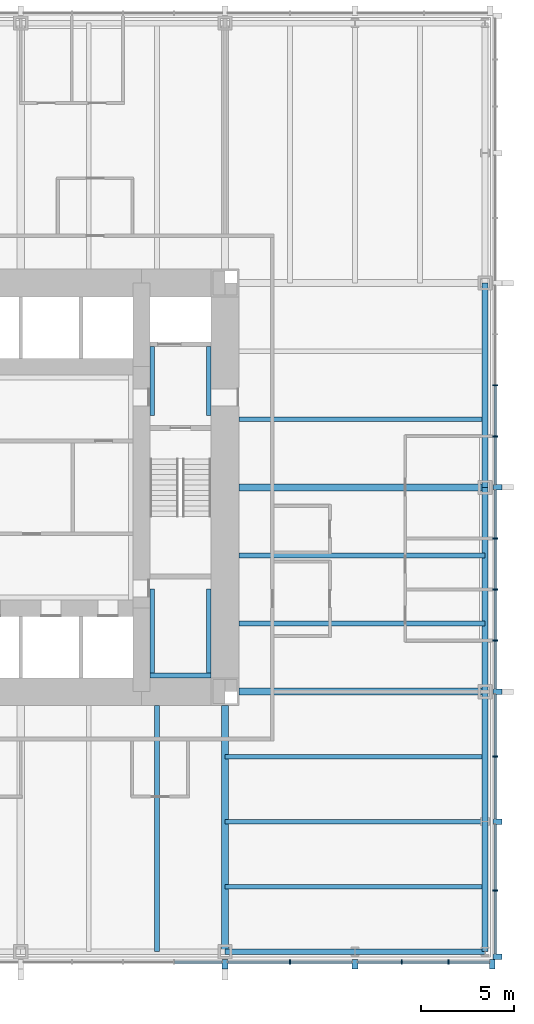
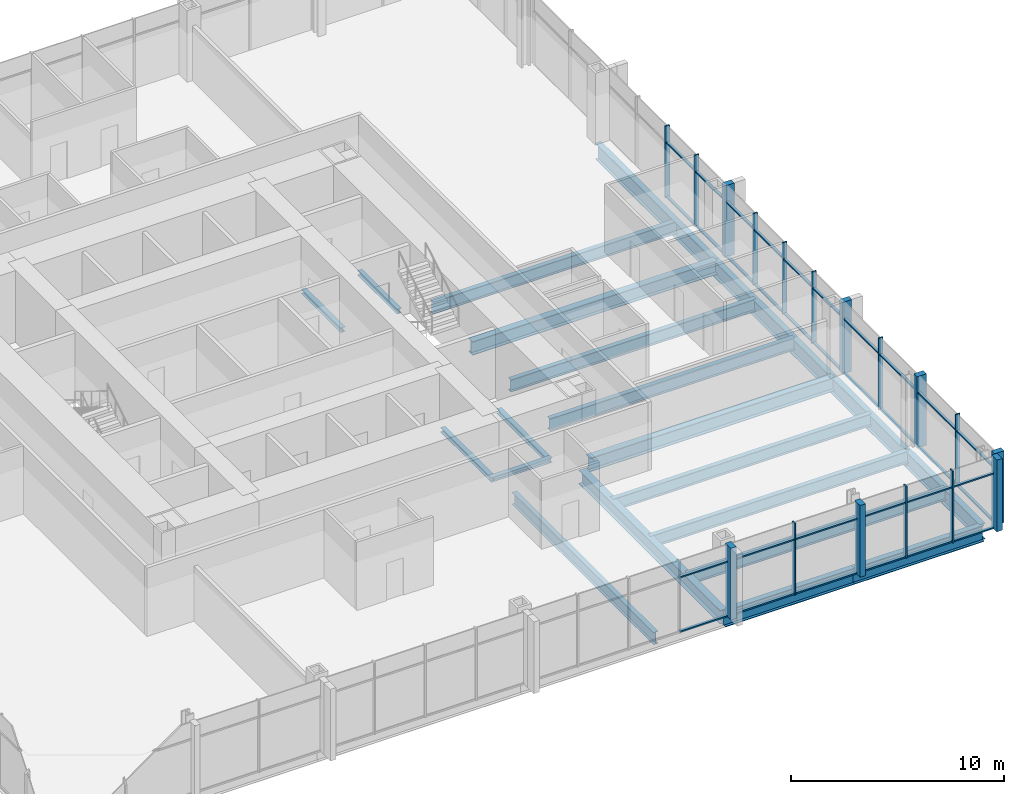
# One storey, part 4 of 12: 49 members, 21 beams, 2 elements without a shape of their own.
"""IFC4 building model written with IfcOpenShell, lengths in metres."""

from ifc_helpers import new_model, si_unit, direction, frame, origin, origin_2d, place, context, subcontext, project, spatial, rectangle, i_section, extrude, material, material_profile, profile_set, type_object, element, aggregate, save


model = new_model("IFC4")

# Units and contexts
model_context = context("Model", 3, precision=1e-05, world=origin(), true_north=direction((0.0, 1.0)))
body_context = subcontext(model_context, "Body", "Model", "MODEL_VIEW")
ifc_project = project(units=[si_unit("LENGTHUNIT", "METRE"), si_unit("AREAUNIT", "SQUARE_METRE"), si_unit("VOLUMEUNIT", "CUBIC_METRE"), si_unit("PLANEANGLEUNIT", "RADIAN"), si_unit("MASSUNIT", "GRAM", prefix="KILO")], contexts=[model_context])

# Site, building, storey
site_placement = place(None, origin())
site = spatial("IfcSite", under=ifc_project, at=site_placement, CompositionType="ELEMENT")
building_placement = place(site_placement, origin())
building = spatial("IfcBuilding", under=site, at=building_placement, Name="Trevanion Tower", CompositionType="ELEMENT")
storey_placement = place(building_placement, frame((0.0, 0.0, 24.199951171875)))
storey = spatial("IfcBuildingStorey", under=building, at=storey_placement, Name="L05", CompositionType="ELEMENT", Elevation=24.199951171875)

# Beams
ifc_material_1 = material(Name="Steel ASTM A992 Grade 50", Category="steel")
ifc_material_profile_1 = material_profile(ifc_material_1, i_section(OverallWidth=0.25390625, OverallDepth=0.700927734375, WebThickness=0.015380859375, FlangeThickness=0.02783203125, at=origin_2d()), Name="W27X129")
ifc_profile_set_1 = profile_set([ifc_material_profile_1], Name="Steel ASTM A992 Grade 50")
beam_type_1 = type_object("IfcBeamType", Name="B3 W27X129", PredefinedType="BEAM", material=ifc_profile_set_1)
for number, where, z_axis, x_axis, name in (
    (1, (11.75, -7.333251953125, -0.54052734375), (1.0, 0.0, 0.0), (0.0, 1.0, 0.0), "B3 L05"),
    (2, (11.75, -3.666748046875, -0.54052734375), (1.0, 0.0, 0.0), (0.0, 1.0, 0.0), "B3 L05"),
    (3, (11.75, 3.666748046875, -0.54052734375), (1.0, 0.0, 0.0), (0.0, 1.0, 0.0), "B3 L05"),
    (4, (7.333251953125, -11.75, -0.54052734375), (0.0, -1.0, 0.0), (1.0, 0.0, 0.0), "B3 L05"),
):
    element("IfcBeam", number, at=place(storey_placement, frame(where, z_axis=z_axis, x_axis=x_axis)), inside=storey, type_object=beam_type_1, Name=name, PredefinedType="BEAM", context=body_context, shape_type="SweptSolid", body=[
        extrude(i_section(OverallWidth=0.25390625, OverallDepth=0.700927734375, WebThickness=0.015380859375, FlangeThickness=0.02783203125, at=origin_2d()), origin(), (0.0, 0.0, 1.0), 13.25),
    ])
ifc_material_2 = material(Name="Steel ASTM A992 Grade 50", Category="steel")
ifc_material_profile_2 = material_profile(ifc_material_2, i_section(OverallWidth=0.256591796875, OverallDepth=0.693359375, WebThickness=0.014404296875, FlangeThickness=0.023681640625, at=origin_2d()), Name="W27X114")
ifc_profile_set_2 = profile_set([ifc_material_profile_2], Name="Steel ASTM A992 Grade 50")
beam_type_2 = type_object("IfcBeamType", Name="B4 W27X114", PredefinedType="BEAM", material=ifc_profile_set_2)
for number, where, z_axis, x_axis, name in (
    (5, (11.0, -14.5, -0.53662109375), (1.0, 0.0, 0.0), (0.0, 1.0, 0.0), "B4 L05"),
    (6, (11.0, -18.0, -0.53662109375), (1.0, 0.0, 0.0), (0.0, 1.0, 0.0), "B4 L05"),
    (7, (11.0, -21.5, -0.53662109375), (1.0, 0.0, 0.0), (0.0, 1.0, 0.0), "B4 L05"),
):
    element("IfcBeam", number, at=place(storey_placement, frame(where, z_axis=z_axis, x_axis=x_axis)), inside=storey, type_object=beam_type_2, Name=name, PredefinedType="BEAM", context=body_context, shape_type="SweptSolid", body=[
        extrude(i_section(OverallWidth=0.256591796875, OverallDepth=0.693359375, WebThickness=0.014404296875, FlangeThickness=0.023681640625, at=origin_2d()), origin(), (0.0, 0.0, 1.0), 14.0),
    ])

# Curtain wall, members
ifc_material_3 = material(Name="Aluminium and glass", Category="aluminium")
curtain_wall_type = type_object("IfcCurtainWallType", Name="CW1 curtain wall", PredefinedType="USERDEFINED", material=ifc_material_3)
curtain_wall_1_placement = place(storey_placement, origin())
curtain_wall_1 = element("IfcCurtainWall", 8, at=curtain_wall_1_placement, inside=storey, type_object=curtain_wall_type, Name="CW1 L05 0", ObjectType="UNITISED CURTAIN WALL", PredefinedType="USERDEFINED")
ifc_material_4 = material(Name="Aluminium extrusion, anodised bronze", Category="aluminium")
ifc_material_profile_3 = material_profile(ifc_material_4, rectangle(XDim=0.074951171875, YDim=0.25, at=origin_2d()), Name="CW1 mullion")
ifc_profile_set_3 = profile_set([ifc_material_profile_3], Name="Aluminium extrusion, anodised bronze")
member_type_1 = type_object("IfcMemberType", Name="CW1 mullion", PredefinedType="MULLION", material=ifc_profile_set_3)
member_1_placement = place(storey_placement, frame((25.550048828125, -21.7099609375, -0.18994140625), z_axis=(0.0, 0.0, 1.0), x_axis=(0.0, 1.0, 0.0)))
member_1 = element("IfcMember", 9, at=member_1_placement, type_object=member_type_1, Name="CW1 mullion 2", PredefinedType="MULLION", context=body_context, shape_type="SweptSolid", body=[
    extrude(rectangle(XDim=0.074951171875, YDim=0.25, at=origin_2d()), origin(), (0.0, 0.0, 1.0), 4.10009765625),
])
member_2_placement = place(storey_placement, frame((25.550048828125, -14.5, -0.18994140625), z_axis=(0.0, 0.0, 1.0), x_axis=(0.0, 1.0, 0.0)))
member_2 = element("IfcMember", 10, at=member_2_placement, type_object=member_type_1, Name="CW1 mullion 4", PredefinedType="MULLION", context=body_context, shape_type="SweptSolid", body=[
    extrude(rectangle(XDim=0.074951171875, YDim=0.25, at=origin_2d()), origin(), (0.0, 0.0, 1.0), 4.10009765625),
])
member_3_placement = place(storey_placement, frame((25.550048828125, -8.25, -0.18994140625), z_axis=(0.0, 0.0, 1.0), x_axis=(0.0, 1.0, 0.0)))
member_3 = element("IfcMember", 11, at=member_3_placement, type_object=member_type_1, Name="CW1 mullion 6", PredefinedType="MULLION", context=body_context, shape_type="SweptSolid", body=[
    extrude(rectangle(XDim=0.074951171875, YDim=0.25, at=origin_2d()), origin(), (0.0, 0.0, 1.0), 4.10009765625),
])
member_4_placement = place(storey_placement, frame((25.550048828125, -5.5, -0.18994140625), z_axis=(0.0, 0.0, 1.0), x_axis=(0.0, 1.0, 0.0)))
member_4 = element("IfcMember", 12, at=member_4_placement, type_object=member_type_1, Name="CW1 mullion 7", PredefinedType="MULLION", context=body_context, shape_type="SweptSolid", body=[
    extrude(rectangle(XDim=0.074951171875, YDim=0.25, at=origin_2d()), origin(), (0.0, 0.0, 1.0), 4.10009765625),
])
member_5_placement = place(storey_placement, frame((25.550048828125, -2.75, -0.18994140625), z_axis=(0.0, 0.0, 1.0), x_axis=(0.0, 1.0, 0.0)))
member_5 = element("IfcMember", 13, at=member_5_placement, type_object=member_type_1, Name="CW1 mullion 8", PredefinedType="MULLION", context=body_context, shape_type="SweptSolid", body=[
    extrude(rectangle(XDim=0.074951171875, YDim=0.25, at=origin_2d()), origin(), (0.0, 0.0, 1.0), 4.10009765625),
])
member_6_placement = place(storey_placement, frame((25.550048828125, 2.75, -0.18994140625), z_axis=(0.0, 0.0, 1.0), x_axis=(0.0, 1.0, 0.0)))
member_6 = element("IfcMember", 14, at=member_6_placement, type_object=member_type_1, Name="CW1 mullion 10", PredefinedType="MULLION", context=body_context, shape_type="SweptSolid", body=[
    extrude(rectangle(XDim=0.074951171875, YDim=0.25, at=origin_2d()), origin(), (0.0, 0.0, 1.0), 4.10009765625),
])
member_7_placement = place(storey_placement, frame((25.550048828125, 5.5, -0.18994140625), z_axis=(0.0, 0.0, 1.0), x_axis=(0.0, 1.0, 0.0)))
member_7 = element("IfcMember", 15, at=member_7_placement, type_object=member_type_1, Name="CW1 mullion 11", PredefinedType="MULLION", context=body_context, shape_type="SweptSolid", body=[
    extrude(rectangle(XDim=0.074951171875, YDim=0.25, at=origin_2d()), origin(), (0.0, 0.0, 1.0), 4.10009765625),
])

curtain_wall_2_placement = place(storey_placement, origin())
curtain_wall_2 = element("IfcCurtainWall", 16, at=curtain_wall_2_placement, inside=storey, type_object=curtain_wall_type, Name="CW1 L05 3", ObjectType="UNITISED CURTAIN WALL", PredefinedType="USERDEFINED")
member_8_placement = place(storey_placement, frame((14.5, -25.550048828125, -0.18994140625), z_axis=(0.0, 0.0, 1.0), x_axis=(1.0, 0.0, 0.0)))
member_8 = element("IfcMember", 17, at=member_8_placement, type_object=member_type_1, Name="CW1 mullion 14", PredefinedType="MULLION", context=body_context, shape_type="SweptSolid", body=[
    extrude(rectangle(XDim=0.074951171875, YDim=0.25, at=origin_2d()), origin(), (0.0, 0.0, 1.0), 4.10009765625),
])
member_9_placement = place(storey_placement, frame((20.5166015625, -25.550048828125, -0.18994140625), z_axis=(0.0, 0.0, 1.0), x_axis=(1.0, 0.0, 0.0)))
member_9 = element("IfcMember", 18, at=member_9_placement, type_object=member_type_1, Name="CW1 mullion 16", PredefinedType="MULLION", context=body_context, shape_type="SweptSolid", body=[
    extrude(rectangle(XDim=0.074951171875, YDim=0.25, at=origin_2d()), origin(), (0.0, 0.0, 1.0), 4.10009765625),
])
member_10_placement = place(storey_placement, frame((23.033203125, -25.550048828125, -0.18994140625), z_axis=(0.0, 0.0, 1.0), x_axis=(1.0, 0.0, 0.0)))
member_10 = element("IfcMember", 19, at=member_10_placement, type_object=member_type_1, Name="CW1 mullion 17", PredefinedType="MULLION", context=body_context, shape_type="SweptSolid", body=[
    extrude(rectangle(XDim=0.074951171875, YDim=0.25, at=origin_2d()), origin(), (0.0, 0.0, 1.0), 4.10009765625),
])

# Member
ifc_material_5 = material(Name="Aluminium extrusion, anodised bronze", Category="aluminium")
ifc_material_profile_4 = material_profile(ifc_material_5, rectangle(XDim=0.300048828125, YDim=0.5, at=origin_2d()), Name="CW1 pier mullion")
ifc_profile_set_4 = profile_set([ifc_material_profile_4], Name="Aluminium extrusion, anodised bronze")
member_type_2 = type_object("IfcMemberType", Name="CW1 pier mullion", PredefinedType="MULLION", material=ifc_profile_set_4)
member_11_placement = place(storey_placement, frame((25.675048828125, -25.27001953125, -0.18994140625), z_axis=(0.0, 0.0, 1.0), x_axis=(0.0, 1.0, 0.0)))
member_11 = element("IfcMember", 20, at=member_11_placement, type_object=member_type_2, Name="CW1 pier mullion 1", PredefinedType="MULLION", context=body_context, shape_type="SweptSolid", body=[
    extrude(rectangle(XDim=0.300048828125, YDim=0.5, at=origin_2d()), origin(), (0.0, 0.0, 1.0), 4.10009765625),
])

member_12_placement = place(storey_placement, frame((25.675048828125, -18.0, -0.18994140625), z_axis=(0.0, 0.0, 1.0), x_axis=(0.0, 1.0, 0.0)))
member_12 = element("IfcMember", 21, at=member_12_placement, type_object=member_type_2, Name="CW1 pier mullion 3", PredefinedType="MULLION", context=body_context, shape_type="SweptSolid", body=[
    extrude(rectangle(XDim=0.300048828125, YDim=0.5, at=origin_2d()), origin(), (0.0, 0.0, 1.0), 4.10009765625),
])

member_13_placement = place(storey_placement, frame((25.675048828125, -11.0, -0.18994140625), z_axis=(0.0, 0.0, 1.0), x_axis=(0.0, 1.0, 0.0)))
member_13 = element("IfcMember", 22, at=member_13_placement, type_object=member_type_2, Name="CW1 pier mullion 5", PredefinedType="MULLION", context=body_context, shape_type="SweptSolid", body=[
    extrude(rectangle(XDim=0.300048828125, YDim=0.5, at=origin_2d()), origin(), (0.0, 0.0, 1.0), 4.10009765625),
])

member_14_placement = place(storey_placement, frame((25.675048828125, 0.0, -0.18994140625), z_axis=(0.0, 0.0, 1.0), x_axis=(0.0, 1.0, 0.0)))
member_14 = element("IfcMember", 23, at=member_14_placement, type_object=member_type_2, Name="CW1 pier mullion 9", PredefinedType="MULLION", context=body_context, shape_type="SweptSolid", body=[
    extrude(rectangle(XDim=0.300048828125, YDim=0.5, at=origin_2d()), origin(), (0.0, 0.0, 1.0), 4.10009765625),
])

member_15_placement = place(storey_placement, frame((11.0, -25.675048828125, -0.18994140625), z_axis=(0.0, 0.0, 1.0), x_axis=(1.0, 0.0, 0.0)))
member_15 = element("IfcMember", 24, at=member_15_placement, type_object=member_type_2, Name="CW1 pier mullion 13", PredefinedType="MULLION", context=body_context, shape_type="SweptSolid", body=[
    extrude(rectangle(XDim=0.300048828125, YDim=0.5, at=origin_2d()), origin(), (0.0, 0.0, 1.0), 4.10009765625),
])

member_16_placement = place(storey_placement, frame((18.0, -25.675048828125, -0.18994140625), z_axis=(0.0, 0.0, 1.0), x_axis=(1.0, 0.0, 0.0)))
member_16 = element("IfcMember", 25, at=member_16_placement, type_object=member_type_2, Name="CW1 pier mullion 15", PredefinedType="MULLION", context=body_context, shape_type="SweptSolid", body=[
    extrude(rectangle(XDim=0.300048828125, YDim=0.5, at=origin_2d()), origin(), (0.0, 0.0, 1.0), 4.10009765625),
])

member_17_placement = place(storey_placement, frame((25.39990234375, -25.675048828125, -0.18994140625), z_axis=(0.0, 0.0, 1.0), x_axis=(1.0, 0.0, 0.0)))
member_17 = element("IfcMember", 26, at=member_17_placement, type_object=member_type_2, Name="CW1 pier mullion 18", PredefinedType="MULLION", context=body_context, shape_type="SweptSolid", body=[
    extrude(rectangle(XDim=0.300048828125, YDim=0.5, at=origin_2d()), origin(), (0.0, 0.0, 1.0), 4.10009765625),
])

ifc_material_6 = material(Name="Aluminium extrusion, anodised bronze", Category="aluminium")
ifc_material_profile_5 = material_profile(ifc_material_6, rectangle(XDim=0.14990234375, YDim=0.074951171875, at=origin_2d()), Name="CW1 transom")
ifc_profile_set_5 = profile_set([ifc_material_profile_5], Name="Aluminium extrusion, anodised bronze")
member_type_3 = type_object("IfcMemberType", Name="CW1 transom", PredefinedType="USERDEFINED", material=ifc_profile_set_5)
member_18_placement = place(storey_placement, frame((25.550048828125, -25.1201171875, -0.15234375), z_axis=(0.0, 1.0, 0.0), x_axis=(-1.0, 0.0, 0.0)))
member_18 = element("IfcMember", 27, at=member_18_placement, type_object=member_type_3, Name="CW1 transom 1.1", ObjectType="TRANSOM", PredefinedType="USERDEFINED", context=body_context, shape_type="SweptSolid", body=[
    extrude(rectangle(XDim=0.14990234375, YDim=0.074951171875, at=origin_2d()), origin(), (0.0, 0.0, 1.0), 3.37255859375),
])

member_19_placement = place(storey_placement, frame((25.550048828125, -25.1201171875, 2.9599609375), z_axis=(0.0, 1.0, 0.0), x_axis=(-1.0, 0.0, 0.0)))
member_19 = element("IfcMember", 28, at=member_19_placement, type_object=member_type_3, Name="CW1 transom 1.2", ObjectType="TRANSOM", PredefinedType="USERDEFINED", context=body_context, shape_type="SweptSolid", body=[
    extrude(rectangle(XDim=0.14990234375, YDim=0.074951171875, at=origin_2d()), origin(), (0.0, 0.0, 1.0), 3.37255859375),
])

member_20_placement = place(storey_placement, frame((25.550048828125, -21.672607421875, -0.15234375), z_axis=(0.0, 1.0, 0.0), x_axis=(-1.0, 0.0, 0.0)))
member_20 = element("IfcMember", 29, at=member_20_placement, type_object=member_type_3, Name="CW1 transom 2.1", ObjectType="TRANSOM", PredefinedType="USERDEFINED", context=body_context, shape_type="SweptSolid", body=[
    extrude(rectangle(XDim=0.14990234375, YDim=0.074951171875, at=origin_2d()), origin(), (0.0, 0.0, 1.0), 3.522705078125),
])

member_21_placement = place(storey_placement, frame((25.550048828125, -21.672607421875, 2.9599609375), z_axis=(0.0, 1.0, 0.0), x_axis=(-1.0, 0.0, 0.0)))
member_21 = element("IfcMember", 30, at=member_21_placement, type_object=member_type_3, Name="CW1 transom 2.2", ObjectType="TRANSOM", PredefinedType="USERDEFINED", context=body_context, shape_type="SweptSolid", body=[
    extrude(rectangle(XDim=0.14990234375, YDim=0.074951171875, at=origin_2d()), origin(), (0.0, 0.0, 1.0), 3.522705078125),
])

member_22_placement = place(storey_placement, frame((25.550048828125, -17.85009765625, -0.15234375), z_axis=(0.0, 1.0, 0.0), x_axis=(-1.0, 0.0, 0.0)))
member_22 = element("IfcMember", 31, at=member_22_placement, type_object=member_type_3, Name="CW1 transom 3.1", ObjectType="TRANSOM", PredefinedType="USERDEFINED", context=body_context, shape_type="SweptSolid", body=[
    extrude(rectangle(XDim=0.14990234375, YDim=0.074951171875, at=origin_2d()), origin(), (0.0, 0.0, 1.0), 3.3125),
])

member_23_placement = place(storey_placement, frame((25.550048828125, -17.85009765625, 2.9599609375), z_axis=(0.0, 1.0, 0.0), x_axis=(-1.0, 0.0, 0.0)))
member_23 = element("IfcMember", 32, at=member_23_placement, type_object=member_type_3, Name="CW1 transom 3.2", ObjectType="TRANSOM", PredefinedType="USERDEFINED", context=body_context, shape_type="SweptSolid", body=[
    extrude(rectangle(XDim=0.14990234375, YDim=0.074951171875, at=origin_2d()), origin(), (0.0, 0.0, 1.0), 3.3125),
])

member_24_placement = place(storey_placement, frame((25.550048828125, -14.46240234375, -0.15234375), z_axis=(0.0, 1.0, 0.0), x_axis=(-1.0, 0.0, 0.0)))
member_24 = element("IfcMember", 33, at=member_24_placement, type_object=member_type_3, Name="CW1 transom 4.1", ObjectType="TRANSOM", PredefinedType="USERDEFINED", context=body_context, shape_type="SweptSolid", body=[
    extrude(rectangle(XDim=0.14990234375, YDim=0.074951171875, at=origin_2d()), origin(), (0.0, 0.0, 1.0), 3.3125),
])

member_25_placement = place(storey_placement, frame((25.550048828125, -14.46240234375, 2.9599609375), z_axis=(0.0, 1.0, 0.0), x_axis=(-1.0, 0.0, 0.0)))
member_25 = element("IfcMember", 34, at=member_25_placement, type_object=member_type_3, Name="CW1 transom 4.2", ObjectType="TRANSOM", PredefinedType="USERDEFINED", context=body_context, shape_type="SweptSolid", body=[
    extrude(rectangle(XDim=0.14990234375, YDim=0.074951171875, at=origin_2d()), origin(), (0.0, 0.0, 1.0), 3.3125),
])

member_26_placement = place(storey_placement, frame((25.550048828125, -10.85009765625, -0.15234375), z_axis=(0.0, 1.0, 0.0), x_axis=(-1.0, 0.0, 0.0)))
member_26 = element("IfcMember", 35, at=member_26_placement, type_object=member_type_3, Name="CW1 transom 5.1", ObjectType="TRANSOM", PredefinedType="USERDEFINED", context=body_context, shape_type="SweptSolid", body=[
    extrude(rectangle(XDim=0.14990234375, YDim=0.074951171875, at=origin_2d()), origin(), (0.0, 0.0, 1.0), 2.5625),
])

member_27_placement = place(storey_placement, frame((25.550048828125, -10.85009765625, 2.9599609375), z_axis=(0.0, 1.0, 0.0), x_axis=(-1.0, 0.0, 0.0)))
member_27 = element("IfcMember", 36, at=member_27_placement, type_object=member_type_3, Name="CW1 transom 5.2", ObjectType="TRANSOM", PredefinedType="USERDEFINED", context=body_context, shape_type="SweptSolid", body=[
    extrude(rectangle(XDim=0.14990234375, YDim=0.074951171875, at=origin_2d()), origin(), (0.0, 0.0, 1.0), 2.5625),
])

member_28_placement = place(storey_placement, frame((25.550048828125, -8.21240234375, -0.15234375), z_axis=(0.0, 1.0, 0.0), x_axis=(-1.0, 0.0, 0.0)))
member_28 = element("IfcMember", 37, at=member_28_placement, type_object=member_type_3, Name="CW1 transom 6.1", ObjectType="TRANSOM", PredefinedType="USERDEFINED", context=body_context, shape_type="SweptSolid", body=[
    extrude(rectangle(XDim=0.14990234375, YDim=0.074951171875, at=origin_2d()), origin(), (0.0, 0.0, 1.0), 2.6748046875),
])

member_29_placement = place(storey_placement, frame((25.550048828125, -8.21240234375, 2.9599609375), z_axis=(0.0, 1.0, 0.0), x_axis=(-1.0, 0.0, 0.0)))
member_29 = element("IfcMember", 38, at=member_29_placement, type_object=member_type_3, Name="CW1 transom 6.2", ObjectType="TRANSOM", PredefinedType="USERDEFINED", context=body_context, shape_type="SweptSolid", body=[
    extrude(rectangle(XDim=0.14990234375, YDim=0.074951171875, at=origin_2d()), origin(), (0.0, 0.0, 1.0), 2.6748046875),
])

member_30_placement = place(storey_placement, frame((25.550048828125, -5.46240234375, -0.15234375), z_axis=(0.0, 1.0, 0.0), x_axis=(-1.0, 0.0, 0.0)))
member_30 = element("IfcMember", 39, at=member_30_placement, type_object=member_type_3, Name="CW1 transom 7.1", ObjectType="TRANSOM", PredefinedType="USERDEFINED", context=body_context, shape_type="SweptSolid", body=[
    extrude(rectangle(XDim=0.14990234375, YDim=0.074951171875, at=origin_2d()), origin(), (0.0, 0.0, 1.0), 2.6748046875),
])

member_31_placement = place(storey_placement, frame((25.550048828125, -5.46240234375, 2.9599609375), z_axis=(0.0, 1.0, 0.0), x_axis=(-1.0, 0.0, 0.0)))
member_31 = element("IfcMember", 40, at=member_31_placement, type_object=member_type_3, Name="CW1 transom 7.2", ObjectType="TRANSOM", PredefinedType="USERDEFINED", context=body_context, shape_type="SweptSolid", body=[
    extrude(rectangle(XDim=0.14990234375, YDim=0.074951171875, at=origin_2d()), origin(), (0.0, 0.0, 1.0), 2.6748046875),
])

member_32_placement = place(storey_placement, frame((25.550048828125, -2.71240234375, -0.15234375), z_axis=(0.0, 1.0, 0.0), x_axis=(-1.0, 0.0, 0.0)))
member_32 = element("IfcMember", 41, at=member_32_placement, type_object=member_type_3, Name="CW1 transom 8.1", ObjectType="TRANSOM", PredefinedType="USERDEFINED", context=body_context, shape_type="SweptSolid", body=[
    extrude(rectangle(XDim=0.14990234375, YDim=0.074951171875, at=origin_2d()), origin(), (0.0, 0.0, 1.0), 2.5625),
])

member_33_placement = place(storey_placement, frame((25.550048828125, -2.71240234375, 2.9599609375), z_axis=(0.0, 1.0, 0.0), x_axis=(-1.0, 0.0, 0.0)))
member_33 = element("IfcMember", 42, at=member_33_placement, type_object=member_type_3, Name="CW1 transom 8.2", ObjectType="TRANSOM", PredefinedType="USERDEFINED", context=body_context, shape_type="SweptSolid", body=[
    extrude(rectangle(XDim=0.14990234375, YDim=0.074951171875, at=origin_2d()), origin(), (0.0, 0.0, 1.0), 2.5625),
])

member_34_placement = place(storey_placement, frame((25.550048828125, 0.14990234375, -0.15234375), z_axis=(0.0, 1.0, 0.0), x_axis=(-1.0, 0.0, 0.0)))
member_34 = element("IfcMember", 43, at=member_34_placement, type_object=member_type_3, Name="CW1 transom 9.1", ObjectType="TRANSOM", PredefinedType="USERDEFINED", context=body_context, shape_type="SweptSolid", body=[
    extrude(rectangle(XDim=0.14990234375, YDim=0.074951171875, at=origin_2d()), origin(), (0.0, 0.0, 1.0), 2.5625),
])

member_35_placement = place(storey_placement, frame((25.550048828125, 0.14990234375, 2.9599609375), z_axis=(0.0, 1.0, 0.0), x_axis=(-1.0, 0.0, 0.0)))
member_35 = element("IfcMember", 44, at=member_35_placement, type_object=member_type_3, Name="CW1 transom 9.2", ObjectType="TRANSOM", PredefinedType="USERDEFINED", context=body_context, shape_type="SweptSolid", body=[
    extrude(rectangle(XDim=0.14990234375, YDim=0.074951171875, at=origin_2d()), origin(), (0.0, 0.0, 1.0), 2.5625),
])

member_36_placement = place(storey_placement, frame((25.550048828125, 2.78759765625, -0.15234375), z_axis=(0.0, 1.0, 0.0), x_axis=(-1.0, 0.0, 0.0)))
member_36 = element("IfcMember", 45, at=member_36_placement, type_object=member_type_3, Name="CW1 transom 10.1", ObjectType="TRANSOM", PredefinedType="USERDEFINED", context=body_context, shape_type="SweptSolid", body=[
    extrude(rectangle(XDim=0.14990234375, YDim=0.074951171875, at=origin_2d()), origin(), (0.0, 0.0, 1.0), 2.6748046875),
])

member_37_placement = place(storey_placement, frame((25.550048828125, 2.78759765625, 2.9599609375), z_axis=(0.0, 1.0, 0.0), x_axis=(-1.0, 0.0, 0.0)))
member_37 = element("IfcMember", 46, at=member_37_placement, type_object=member_type_3, Name="CW1 transom 10.2", ObjectType="TRANSOM", PredefinedType="USERDEFINED", context=body_context, shape_type="SweptSolid", body=[
    extrude(rectangle(XDim=0.14990234375, YDim=0.074951171875, at=origin_2d()), origin(), (0.0, 0.0, 1.0), 2.6748046875),
])

aggregate(curtain_wall_1, [member_11, member_1, member_12, member_2, member_13, member_3, member_4, member_5, member_14, member_6, member_7, member_18, member_19, member_20, member_21, member_22, member_23, member_24, member_25, member_26, member_27, member_28, member_29, member_30, member_31, member_32, member_33, member_34, member_35, member_36, member_37])

member_38_placement = place(storey_placement, frame((8.28759765625, -25.550048828125, -0.15234375), z_axis=(1.0, 0.0, 0.0), x_axis=(0.0, 1.0, 0.0)))
member_38 = element("IfcMember", 47, at=member_38_placement, type_object=member_type_3, Name="CW1 transom 12.1", ObjectType="TRANSOM", PredefinedType="USERDEFINED", context=body_context, shape_type="SweptSolid", body=[
    extrude(rectangle(XDim=0.14990234375, YDim=0.074951171875, at=origin_2d()), origin(), (0.0, 0.0, 1.0), 2.5625),
])

member_39_placement = place(storey_placement, frame((8.28759765625, -25.550048828125, 2.9599609375), z_axis=(1.0, 0.0, 0.0), x_axis=(0.0, 1.0, 0.0)))
member_39 = element("IfcMember", 48, at=member_39_placement, type_object=member_type_3, Name="CW1 transom 12.2", ObjectType="TRANSOM", PredefinedType="USERDEFINED", context=body_context, shape_type="SweptSolid", body=[
    extrude(rectangle(XDim=0.14990234375, YDim=0.074951171875, at=origin_2d()), origin(), (0.0, 0.0, 1.0), 2.5625),
])

member_40_placement = place(storey_placement, frame((11.14990234375, -25.550048828125, -0.15234375), z_axis=(1.0, 0.0, 0.0), x_axis=(0.0, 1.0, 0.0)))
member_40 = element("IfcMember", 49, at=member_40_placement, type_object=member_type_3, Name="CW1 transom 13.1", ObjectType="TRANSOM", PredefinedType="USERDEFINED", context=body_context, shape_type="SweptSolid", body=[
    extrude(rectangle(XDim=0.14990234375, YDim=0.074951171875, at=origin_2d()), origin(), (0.0, 0.0, 1.0), 3.3125),
])

member_41_placement = place(storey_placement, frame((11.14990234375, -25.550048828125, 2.9599609375), z_axis=(1.0, 0.0, 0.0), x_axis=(0.0, 1.0, 0.0)))
member_41 = element("IfcMember", 50, at=member_41_placement, type_object=member_type_3, Name="CW1 transom 13.2", ObjectType="TRANSOM", PredefinedType="USERDEFINED", context=body_context, shape_type="SweptSolid", body=[
    extrude(rectangle(XDim=0.14990234375, YDim=0.074951171875, at=origin_2d()), origin(), (0.0, 0.0, 1.0), 3.3125),
])

member_42_placement = place(storey_placement, frame((14.53759765625, -25.550048828125, -0.15234375), z_axis=(1.0, 0.0, 0.0), x_axis=(0.0, 1.0, 0.0)))
member_42 = element("IfcMember", 51, at=member_42_placement, type_object=member_type_3, Name="CW1 transom 14.1", ObjectType="TRANSOM", PredefinedType="USERDEFINED", context=body_context, shape_type="SweptSolid", body=[
    extrude(rectangle(XDim=0.14990234375, YDim=0.074951171875, at=origin_2d()), origin(), (0.0, 0.0, 1.0), 3.3125),
])

member_43_placement = place(storey_placement, frame((14.53759765625, -25.550048828125, 2.9599609375), z_axis=(1.0, 0.0, 0.0), x_axis=(0.0, 1.0, 0.0)))
member_43 = element("IfcMember", 52, at=member_43_placement, type_object=member_type_3, Name="CW1 transom 14.2", ObjectType="TRANSOM", PredefinedType="USERDEFINED", context=body_context, shape_type="SweptSolid", body=[
    extrude(rectangle(XDim=0.14990234375, YDim=0.074951171875, at=origin_2d()), origin(), (0.0, 0.0, 1.0), 3.3125),
])

member_44_placement = place(storey_placement, frame((18.14990234375, -25.550048828125, -0.15234375), z_axis=(1.0, 0.0, 0.0), x_axis=(0.0, 1.0, 0.0)))
member_44 = element("IfcMember", 53, at=member_44_placement, type_object=member_type_3, Name="CW1 transom 15.1", ObjectType="TRANSOM", PredefinedType="USERDEFINED", context=body_context, shape_type="SweptSolid", body=[
    extrude(rectangle(XDim=0.14990234375, YDim=0.074951171875, at=origin_2d()), origin(), (0.0, 0.0, 1.0), 2.329345703125),
])

member_45_placement = place(storey_placement, frame((18.14990234375, -25.550048828125, 2.9599609375), z_axis=(1.0, 0.0, 0.0), x_axis=(0.0, 1.0, 0.0)))
member_45 = element("IfcMember", 54, at=member_45_placement, type_object=member_type_3, Name="CW1 transom 15.2", ObjectType="TRANSOM", PredefinedType="USERDEFINED", context=body_context, shape_type="SweptSolid", body=[
    extrude(rectangle(XDim=0.14990234375, YDim=0.074951171875, at=origin_2d()), origin(), (0.0, 0.0, 1.0), 2.329345703125),
])

member_46_placement = place(storey_placement, frame((20.55419921875, -25.550048828125, -0.15234375), z_axis=(1.0, 0.0, 0.0), x_axis=(0.0, 1.0, 0.0)))
member_46 = element("IfcMember", 55, at=member_46_placement, type_object=member_type_3, Name="CW1 transom 16.1", ObjectType="TRANSOM", PredefinedType="USERDEFINED", context=body_context, shape_type="SweptSolid", body=[
    extrude(rectangle(XDim=0.14990234375, YDim=0.074951171875, at=origin_2d()), origin(), (0.0, 0.0, 1.0), 2.441650390625),
])

member_47_placement = place(storey_placement, frame((20.55419921875, -25.550048828125, 2.9599609375), z_axis=(1.0, 0.0, 0.0), x_axis=(0.0, 1.0, 0.0)))
member_47 = element("IfcMember", 56, at=member_47_placement, type_object=member_type_3, Name="CW1 transom 16.2", ObjectType="TRANSOM", PredefinedType="USERDEFINED", context=body_context, shape_type="SweptSolid", body=[
    extrude(rectangle(XDim=0.14990234375, YDim=0.074951171875, at=origin_2d()), origin(), (0.0, 0.0, 1.0), 2.441650390625),
])

member_48_placement = place(storey_placement, frame((23.07080078125, -25.550048828125, -0.15234375), z_axis=(1.0, 0.0, 0.0), x_axis=(0.0, 1.0, 0.0)))
member_48 = element("IfcMember", 57, at=member_48_placement, type_object=member_type_3, Name="CW1 transom 17.1", ObjectType="TRANSOM", PredefinedType="USERDEFINED", context=body_context, shape_type="SweptSolid", body=[
    extrude(rectangle(XDim=0.14990234375, YDim=0.074951171875, at=origin_2d()), origin(), (0.0, 0.0, 1.0), 2.17919921875),
])

member_49_placement = place(storey_placement, frame((23.07080078125, -25.550048828125, 2.9599609375), z_axis=(1.0, 0.0, 0.0), x_axis=(0.0, 1.0, 0.0)))
member_49 = element("IfcMember", 58, at=member_49_placement, type_object=member_type_3, Name="CW1 transom 17.2", ObjectType="TRANSOM", PredefinedType="USERDEFINED", context=body_context, shape_type="SweptSolid", body=[
    extrude(rectangle(XDim=0.14990234375, YDim=0.074951171875, at=origin_2d()), origin(), (0.0, 0.0, 1.0), 2.17919921875),
])

aggregate(curtain_wall_2, [member_15, member_8, member_16, member_9, member_10, member_17, member_38, member_39, member_40, member_41, member_42, member_43, member_44, member_45, member_46, member_47, member_48, member_49])

# Beams
ifc_material_7 = material(Name="Steel ASTM A992 Grade 50", Category="steel")
ifc_material_profile_6 = material_profile(ifc_material_7, i_section(OverallWidth=0.381103515625, OverallDepth=0.77978515625, WebThickness=0.01806640625, FlangeThickness=0.0302734375, at=origin_2d()), Name="W30X191")
ifc_profile_set_6 = profile_set([ifc_material_profile_6], Name="Steel ASTM A992 Grade 50")
beam_type_3 = type_object("IfcBeamType", Name="G2 W30X191", PredefinedType="BEAM", material=ifc_profile_set_6)
for number, where, z_axis, x_axis, name in (
    (59, (11.75, -11.0, -0.579833984375), (1.0, 0.0, 0.0), (0.0, 1.0, 0.0), "G2 L05"),
    (60, (11.75, 0.0, -0.579833984375), (1.0, 0.0, 0.0), (0.0, 1.0, 0.0), "G2 L05"),
    (61, (11.0, -11.75, -0.579833984375), (0.0, -1.0, 0.0), (1.0, 0.0, 0.0), "G2 L05"),
):
    element("IfcBeam", number, at=place(storey_placement, frame(where, z_axis=z_axis, x_axis=x_axis)), inside=storey, type_object=beam_type_3, Name=name, PredefinedType="BEAM", context=body_context, shape_type="SweptSolid", body=[
        extrude(i_section(OverallWidth=0.381103515625, OverallDepth=0.77978515625, WebThickness=0.01806640625, FlangeThickness=0.0302734375, at=origin_2d()), origin(), (0.0, 0.0, 1.0), 13.25),
    ])
ifc_material_8 = material(Name="Steel ASTM A992 Grade 50", Category="steel")
ifc_material_profile_7 = material_profile(ifc_material_8, i_section(OverallWidth=0.256591796875, OverallDepth=0.26416015625, WebThickness=0.011962890625, FlangeThickness=0.01953125, at=origin_2d()), Name="W10X68")
ifc_profile_set_7 = profile_set([ifc_material_profile_7], Name="Steel ASTM A992 Grade 50")
beam_type_4 = type_object("IfcBeamType", Name="LB1 W10X68", PredefinedType="BEAM", material=ifc_profile_set_7)
for number, where, z_axis, x_axis, name in (
    (62, (7.078369140625, 3.875, -0.33203125), (0.0, 1.0, 0.0), (-1.0, 0.0, 0.0), "LB1 L05"),
    (63, (10.12158203125, 3.875, -0.33203125), (0.0, 1.0, 0.0), (-1.0, 0.0, 0.0), "LB1 L05"),
):
    element("IfcBeam", number, at=place(storey_placement, frame(where, z_axis=z_axis, x_axis=x_axis)), inside=storey, type_object=beam_type_4, Name=name, PredefinedType="BEAM", context=body_context, shape_type="SweptSolid", body=[
        extrude(i_section(OverallWidth=0.256591796875, OverallDepth=0.26416015625, WebThickness=0.011962890625, FlangeThickness=0.01953125, at=origin_2d()), origin(), (0.0, 0.0, 1.0), 3.699951171875),
    ])
for number, where, z_axis, x_axis, name in (
    (64, (7.078369140625, -10.25, -0.33203125), (0.0, 1.0, 0.0), (-1.0, 0.0, 0.0), "LB1 L05"),
    (65, (10.12158203125, -10.25, -0.33203125), (0.0, 1.0, 0.0), (-1.0, 0.0, 0.0), "LB1 L05"),
):
    element("IfcBeam", number, at=place(storey_placement, frame(where, z_axis=z_axis, x_axis=x_axis)), inside=storey, type_object=beam_type_4, Name=name, PredefinedType="BEAM", context=body_context, shape_type="SweptSolid", body=[
        extrude(i_section(OverallWidth=0.256591796875, OverallDepth=0.26416015625, WebThickness=0.011962890625, FlangeThickness=0.01953125, at=origin_2d()), origin(), (0.0, 0.0, 1.0), 4.77490234375),
    ])
beam_placement = place(storey_placement, frame((6.949951171875, -10.12158203125, -0.33203125), z_axis=(1.0, 0.0, 0.0), x_axis=(0.0, 1.0, 0.0)))
element("IfcBeam", 66, at=beam_placement, inside=storey, type_object=beam_type_4, Name="LB1 L05", PredefinedType="BEAM", context=body_context, shape_type="SweptSolid", body=[
    extrude(i_section(OverallWidth=0.256591796875, OverallDepth=0.26416015625, WebThickness=0.011962890625, FlangeThickness=0.01953125, at=origin_2d()), origin(), (0.0, 0.0, 1.0), 3.300048828125),
])
ifc_material_9 = material(Name="Steel ASTM A992 Grade 50", Category="steel")
ifc_material_profile_8 = material_profile(ifc_material_9, i_section(OverallWidth=0.307373046875, OverallDepth=0.927001953125, WebThickness=0.01953125, FlangeThickness=0.031982421875, at=origin_2d()), Name="W36X194")
ifc_profile_set_8 = profile_set([ifc_material_profile_8], Name="Steel ASTM A992 Grade 50")
beam_type_5 = type_object("IfcBeamType", Name="SB2 W36X194", PredefinedType="SPANDREL", material=ifc_profile_set_8)
for number, where, z_axis, x_axis, name in (
    (67, (25.0, -25.0, -0.653564453125), (0.0, 1.0, 0.0), (-1.0, 0.0, 0.0), "SB2 L05"),
    (68, (25.0, -18.0, -0.653564453125), (0.0, 1.0, 0.0), (-1.0, 0.0, 0.0), "SB2 L05"),
):
    element("IfcBeam", number, at=place(storey_placement, frame(where, z_axis=z_axis, x_axis=x_axis)), inside=storey, type_object=beam_type_5, Name=name, PredefinedType="SPANDREL", context=body_context, shape_type="SweptSolid", body=[
        extrude(i_section(OverallWidth=0.307373046875, OverallDepth=0.927001953125, WebThickness=0.01953125, FlangeThickness=0.031982421875, at=origin_2d()), origin(), (0.0, 0.0, 1.0), 7.0),
    ])
for number, where, z_axis, x_axis, name in (
    (69, (25.0, -11.0, -0.653564453125), (0.0, 1.0, 0.0), (-1.0, 0.0, 0.0), "SB2 L05"),
    (70, (25.0, 0.0, -0.653564453125), (0.0, 1.0, 0.0), (-1.0, 0.0, 0.0), "SB2 L05"),
):
    element("IfcBeam", number, at=place(storey_placement, frame(where, z_axis=z_axis, x_axis=x_axis)), inside=storey, type_object=beam_type_5, Name=name, PredefinedType="SPANDREL", context=body_context, shape_type="SweptSolid", body=[
        extrude(i_section(OverallWidth=0.307373046875, OverallDepth=0.927001953125, WebThickness=0.01953125, FlangeThickness=0.031982421875, at=origin_2d()), origin(), (0.0, 0.0, 1.0), 11.0),
    ])
for number, where, z_axis, x_axis, name in (
    (71, (11.0, -25.0, -0.653564453125), (1.0, 0.0, 0.0), (0.0, 1.0, 0.0), "SB2 L05"),
    (72, (18.0, -25.0, -0.653564453125), (1.0, 0.0, 0.0), (0.0, 1.0, 0.0), "SB2 L05"),
):
    element("IfcBeam", number, at=place(storey_placement, frame(where, z_axis=z_axis, x_axis=x_axis)), inside=storey, type_object=beam_type_5, Name=name, PredefinedType="SPANDREL", context=body_context, shape_type="SweptSolid", body=[
        extrude(i_section(OverallWidth=0.307373046875, OverallDepth=0.927001953125, WebThickness=0.01953125, FlangeThickness=0.031982421875, at=origin_2d()), origin(), (0.0, 0.0, 1.0), 7.0),
    ])

save(model, "model.ifc")
